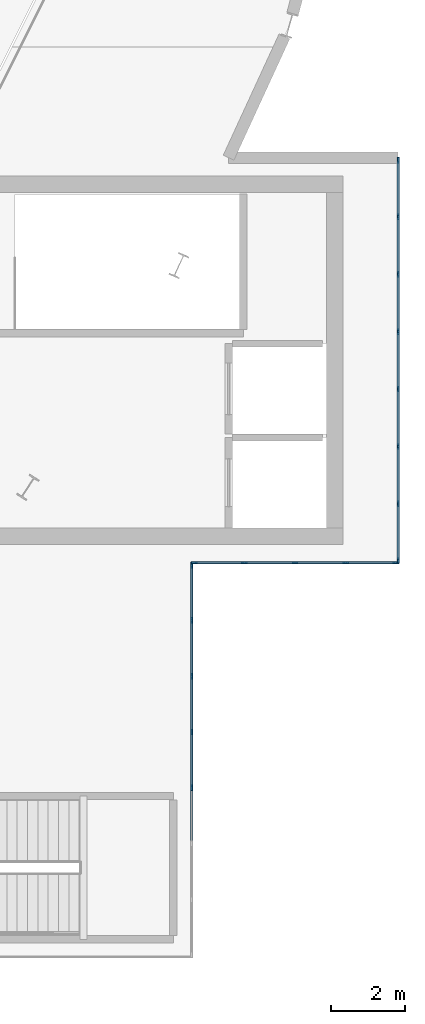
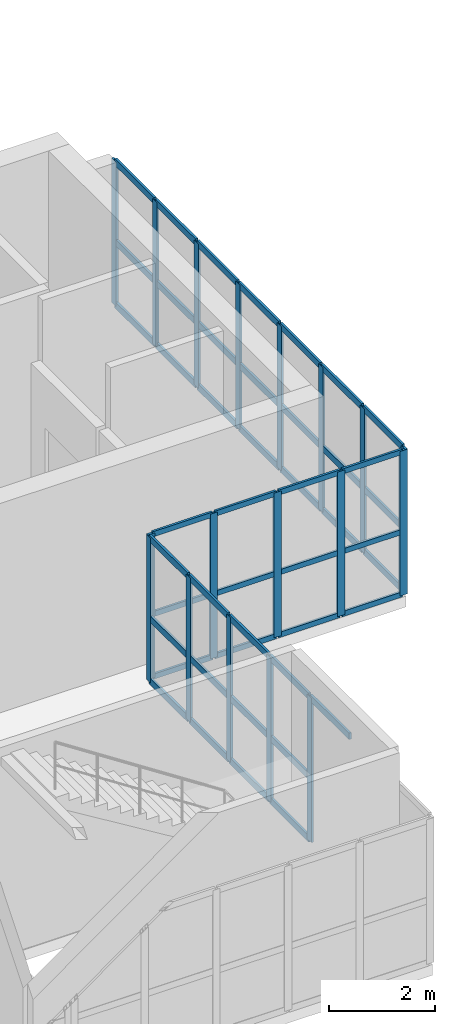
# One storey, part 16 of 40: 64 members, 3 elements without a shape of their own.
"""IFC4 building model written with IfcOpenShell, lengths in metres."""

import ifcopenshell
import ifcopenshell.guid

model = None  # the IFC model being written
_history = None  # IfcOwnerHistory: only IFC2X3 demands one
_inside = {}  # id of a spatial element -> (the spatial element, [elements in it])
_under = {}  # id of a project, library or spatial element -> (it, [spatial elements below it])
_declared = {}  # id of a project -> (the project, [libraries it declares])
_typed = {}  # id of a type object -> (the type object, [elements of that type])
_made_of = {}  # id of a material, layer set ... -> (it, [elements and type objects made of it])


def new_model(schema):
    """Start an empty IFC model of exactly this schema.

    Asked for "IFC4X3", IfcOpenShell would pick the latest addendum, in which some entities
    have other attributes; the version numbers below select the first issue.
    IFC2X3 requires an IfcOwnerHistory on every rooted entity: one is made here for all.
    """
    global model, _history
    if schema == "IFC4X3":
        model = ifcopenshell.file(schema_version=(4, 3, 0, 0))
    else:
        model = ifcopenshell.file(schema=schema)
    _inside.clear()
    _under.clear()
    _declared.clear()
    _typed.clear()
    _made_of.clear()
    _history = None
    if model.schema == "IFC2X3":
        org = make("IfcOrganization", Name="unknown")
        user = make(
            "IfcPersonAndOrganization",
            ThePerson=make("IfcPerson", FamilyName="unknown"),
            TheOrganization=org,
        )
        app = make(
            "IfcApplication",
            ApplicationDeveloper=org,
            Version="unknown",
            ApplicationFullName="unknown",
            ApplicationIdentifier="unknown",
        )
        _history = make(
            "IfcOwnerHistory",
            OwningUser=user,
            OwningApplication=app,
            ChangeAction="ADDED",
            CreationDate=0,
        )
    return model


def make(cls, **values):
    """One entity of the class cls with the attributes given. An attribute that is None is left unset."""
    return model.create_entity(
        cls, **{name: value for name, value in values.items() if value is not None}
    )


def rooted(cls, **values):
    """An entity with a GlobalId (a new one), such as an element, a storey or a relation."""
    return make(cls, GlobalId=ifcopenshell.guid.new(), OwnerHistory=_history, **values)


def si_unit(unit_type, name, prefix=None):
    """IfcSIUnit, for example si_unit("LENGTHUNIT", "METRE", prefix="MILLI")."""
    return make("IfcSIUnit", UnitType=unit_type, Prefix=prefix, Name=name)


def assignment(units):
    """IfcUnitAssignment: the units of a project."""
    return None if units is None else make("IfcUnitAssignment", Units=units)


def point(xyz):
    """IfcCartesianPoint."""
    return None if xyz is None else make("IfcCartesianPoint", Coordinates=xyz)


def direction(xyz):
    """IfcDirection."""
    return None if xyz is None else make("IfcDirection", DirectionRatios=xyz)


def frame(location, z_axis=None, x_axis=None):
    """IfcAxis2Placement3D, a coordinate frame: its origin and axes. An axis left out is left unset."""
    return make(
        "IfcAxis2Placement3D",
        Location=point(location),
        Axis=direction(z_axis),
        RefDirection=direction(x_axis),
    )


def frame_2d(location, x_axis=None):
    """IfcAxis2Placement2D, a coordinate frame in the plane: its origin and x axis."""
    return make(
        "IfcAxis2Placement2D", Location=point(location), RefDirection=direction(x_axis)
    )


def origin():
    """The frame at (0, 0, 0) with its axes left unset."""
    return frame((0.0, 0.0, 0.0))


def origin_2d():
    """The frame at (0, 0) in the plane with its x axis left unset."""
    return frame_2d((0.0, 0.0))


def place(relative_to, where):
    """IfcLocalPlacement: puts the frame where relative to a parent placement (None: the world)."""
    return make(
        "IfcLocalPlacement", PlacementRelTo=relative_to, RelativePlacement=where
    )


def context(
    kind, dimensions, precision=None, world=None, true_north=None, identifier=None
):
    """IfcGeometricRepresentationContext, for example the 3D "Model" context."""
    return make(
        "IfcGeometricRepresentationContext",
        ContextIdentifier=identifier,
        ContextType=kind,
        CoordinateSpaceDimension=dimensions,
        Precision=precision,
        WorldCoordinateSystem=world,
        TrueNorth=true_north,
    )


def subcontext(parent, identifier, kind, view, scale=None):
    """IfcGeometricRepresentationSubContext, for example "Body" below "Model"."""
    return make(
        "IfcGeometricRepresentationSubContext",
        ContextIdentifier=identifier,
        ContextType=kind,
        ParentContext=parent,
        TargetScale=scale,
        TargetView=view,
    )


def project(units=None, contexts=None):
    """IfcProject with its units and contexts."""
    return rooted(
        "IfcProject",
        Name="project",
        RepresentationContexts=contexts,
        UnitsInContext=assignment(units),
    )


def spatial(cls, under=None, at=None, **own):
    """A site, building, storey or space (cls), placed at a placement, below another one or the project."""
    s = rooted(cls, ObjectPlacement=at, **own)
    if under is not None:
        _under.setdefault(under.id(), (under, []))[1].append(s)
    return s


def profile(cls, at=None, kind="AREA", **sizes):
    """A parametric profile (cls). Its sizes go by their IFC names, for example OverallWidth=200.0."""
    return make(cls, ProfileType=kind, Position=at, **sizes)


def rectangle(**sizes):
    """IfcRectangleProfileDef."""
    return profile("IfcRectangleProfileDef", **sizes)


def extrude(swept, where, along, depth):
    """IfcExtrudedAreaSolid: the profile swept, set in the frame where, extruded along a direction by depth."""
    return make(
        "IfcExtrudedAreaSolid",
        SweptArea=swept,
        Position=where,
        ExtrudedDirection=direction(along),
        Depth=depth,
    )


def shape(context_of_items, identifier, shape_type, items):
    """IfcShapeRepresentation: the items that make up one representation, for example the "Body"."""
    return make(
        "IfcShapeRepresentation",
        ContextOfItems=context_of_items,
        RepresentationIdentifier=identifier,
        RepresentationType=shape_type,
        Items=items,
    )


def material(Name=None, Category=None):
    """IfcMaterial."""
    return make("IfcMaterial", Name=Name, Category=Category)


def material_profile(
    of_material, cross_section, Name=None, Category=None, Priority=None
):
    """IfcMaterialProfile: a cross section and its material."""
    return make(
        "IfcMaterialProfile",
        Name=Name,
        Material=of_material,
        Profile=cross_section,
        Priority=Priority,
        Category=Category,
    )


def profile_set(profiles, Name=None, composite=None):
    """IfcMaterialProfileSet."""
    return make(
        "IfcMaterialProfileSet",
        Name=Name,
        MaterialProfiles=profiles,
        CompositeProfile=composite,
    )


def made_of(thing, what):
    """Note that an element or type object is made of a material, layer set ...; save() writes the relation."""
    if what is not None:
        _made_of.setdefault(what.id(), (what, []))[1].append(thing)
    return thing


def type_object(cls, material=None, **own):
    """A type object (cls), such as IfcWallType, which elements share."""
    return made_of(rooted(cls, **own), material)


def element(
    cls,
    number,
    at=None,
    inside=None,
    cuts=None,
    type_object=None,
    material=None,
    context=None,
    identifier="Body",
    shape_type=None,
    held_by="IfcProductDefinitionShape",
    body=None,
    shapes=None,
    **own,
):
    """One element of the class cls, such as IfcWall. Its Tag is "e" and its number.

    at: its placement. inside: the storey or other place that contains it. cuts: it is an
    opening in that element (IfcRelVoidsElement). A single representation is given by context,
    identifier, shape_type and body (its items); several are given by shapes. held_by: the class
    of the entity that holds the representations. save() writes the other relations.
    """
    e = rooted(cls, Tag="e%d" % number, ObjectPlacement=at, **own)
    if body is not None:
        shapes = [shape(context, identifier, shape_type, body)]
    if shapes is not None:
        e.Representation = make(held_by, Representations=shapes)
    if inside is not None:
        _inside.setdefault(inside.id(), (inside, []))[1].append(e)
    if cuts is not None:
        rooted(
            "IfcRelVoidsElement", RelatingBuildingElement=cuts, RelatedOpeningElement=e
        )
    if type_object is not None:
        _typed.setdefault(type_object.id(), (type_object, []))[1].append(e)
    return made_of(e, material)


def aggregate(whole, parts):
    """IfcRelAggregates: a whole, such as a stair, and the parts it consists of."""
    return rooted("IfcRelAggregates", RelatingObject=whole, RelatedObjects=parts)


def save(model, path):
    """Write the relations noted so far, then the file.

    IfcRelAggregates (storeys below a building ...), IfcRelContainedInSpatialStructure (elements
    in a storey), IfcRelDefinesByType, IfcRelAssociatesMaterial and IfcRelDeclares: one each for
    every whole, place, type object, material and project.
    """
    for whole, parts in _under.values():
        aggregate(whole, parts)
    for where, things in _inside.values():
        rooted(
            "IfcRelContainedInSpatialStructure",
            RelatedElements=things,
            RelatingStructure=where,
        )
    for kind, things in _typed.values():
        rooted("IfcRelDefinesByType", RelatedObjects=things, RelatingType=kind)
    for what, things in _made_of.values():
        rooted("IfcRelAssociatesMaterial", RelatedObjects=things, RelatingMaterial=what)
    for by, libraries in _declared.values():
        rooted("IfcRelDeclares", RelatingContext=by, RelatedDefinitions=libraries)
    model.write(path)


model = new_model("IFC4")

# Units and contexts
model_context = context("Model", 3, precision=1e-05, world=origin(), true_north=direction((0.0, 1.0)))
body_context = subcontext(model_context, "Body", "Model", "MODEL_VIEW")
ifc_project = project(units=[si_unit("LENGTHUNIT", "METRE"), si_unit("AREAUNIT", "SQUARE_METRE"), si_unit("VOLUMEUNIT", "CUBIC_METRE"), si_unit("PLANEANGLEUNIT", "RADIAN"), si_unit("MASSUNIT", "GRAM", prefix="KILO")], contexts=[model_context])

# Site, building, storey
site_placement = place(None, origin())
site = spatial("IfcSite", under=ifc_project, at=site_placement, CompositionType="ELEMENT")
building_placement = place(site_placement, origin())
building = spatial("IfcBuilding", under=site, at=building_placement, Name="Glasvene Arena", CompositionType="ELEMENT")
storey_placement = place(building_placement, frame((0.0, 0.0, 24.0)))
storey = spatial("IfcBuildingStorey", under=building, at=storey_placement, Name="L05", CompositionType="ELEMENT", Elevation=24.0)

# Curtain wall, members
ifc_material_1 = material(Name="Low-emissivity laminated double glazing", Category="glass")
curtain_wall_type_1 = type_object("IfcCurtainWallType", Name="CW-FAC-L05-1092x332", PredefinedType="USERDEFINED", material=ifc_material_1)
curtain_wall_1_placement = place(storey_placement, frame((142.5, 55.4599609375, 0.0)))
curtain_wall_1 = element("IfcCurtainWall", 1, at=curtain_wall_1_placement, inside=storey, type_object=curtain_wall_type_1, Name="Unitised curtain wall CW-F-L05-150-1425-500-35", ObjectType="CURTAIN WALL", PredefinedType="USERDEFINED")
ifc_material_2 = material(Name="Anodised architectural aluminium", Category="aluminium")
ifc_material_profile_1 = material_profile(ifc_material_2, rectangle(XDim=0.050048828125, YDim=0.159912109375, at=origin_2d()), Name="ALU MULLION 50x160")
ifc_profile_set_1 = profile_set([ifc_material_profile_1], Name="Anodised architectural aluminium")
member_type_1 = type_object("IfcMemberType", Name="CW-MUL-150", PredefinedType="MULLION", material=ifc_profile_set_1)
member_1_placement = place(storey_placement, frame((142.5, 55.43505859375, 0.06005859375), z_axis=(0.0, 0.0, 1.0), x_axis=(1.0, 0.0, 0.0)))
member_1 = element("IfcMember", 2, at=member_1_placement, type_object=member_type_1, Name="CW-055 mullion 1", PredefinedType="MULLION", context=body_context, shape_type="SweptSolid", body=[
    extrude(rectangle(XDim=0.050048828125, YDim=0.159912109375, at=origin_2d()), origin(), (0.0, 0.0, 1.0), 3.31982421875),
])
member_2_placement = place(storey_placement, frame((142.5, 53.89990234375, 0.06005859375), z_axis=(0.0, 0.0, 1.0), x_axis=(1.0, 0.0, 0.0)))
member_2 = element("IfcMember", 3, at=member_2_placement, type_object=member_type_1, Name="CW-055 mullion 2", PredefinedType="MULLION", context=body_context, shape_type="SweptSolid", body=[
    extrude(rectangle(XDim=0.050048828125, YDim=0.159912109375, at=origin_2d()), origin(), (0.0, 0.0, 1.0), 3.31982421875),
])
member_3_placement = place(storey_placement, frame((142.5, 52.340087890625, 0.06005859375), z_axis=(0.0, 0.0, 1.0), x_axis=(1.0, 0.0, 0.0)))
member_3 = element("IfcMember", 4, at=member_3_placement, type_object=member_type_1, Name="CW-055 mullion 3", PredefinedType="MULLION", context=body_context, shape_type="SweptSolid", body=[
    extrude(rectangle(XDim=0.050048828125, YDim=0.159912109375, at=origin_2d()), origin(), (0.0, 0.0, 1.0), 3.31982421875),
])
member_4_placement = place(storey_placement, frame((142.5, 50.780029296875, 0.06005859375), z_axis=(0.0, 0.0, 1.0), x_axis=(1.0, 0.0, 0.0)))
member_4 = element("IfcMember", 5, at=member_4_placement, type_object=member_type_1, Name="CW-055 mullion 4", PredefinedType="MULLION", context=body_context, shape_type="SweptSolid", body=[
    extrude(rectangle(XDim=0.050048828125, YDim=0.159912109375, at=origin_2d()), origin(), (0.0, 0.0, 1.0), 3.31982421875),
])
member_5_placement = place(storey_placement, frame((142.5, 49.219970703125, 0.06005859375), z_axis=(0.0, 0.0, 1.0), x_axis=(1.0, 0.0, 0.0)))
member_5 = element("IfcMember", 6, at=member_5_placement, type_object=member_type_1, Name="CW-055 mullion 5", PredefinedType="MULLION", context=body_context, shape_type="SweptSolid", body=[
    extrude(rectangle(XDim=0.050048828125, YDim=0.159912109375, at=origin_2d()), origin(), (0.0, 0.0, 1.0), 3.31982421875),
])
member_6_placement = place(storey_placement, frame((142.5, 47.659912109375, 0.06005859375), z_axis=(0.0, 0.0, 1.0), x_axis=(1.0, 0.0, 0.0)))
member_6 = element("IfcMember", 7, at=member_6_placement, type_object=member_type_1, Name="CW-055 mullion 6", PredefinedType="MULLION", context=body_context, shape_type="SweptSolid", body=[
    extrude(rectangle(XDim=0.050048828125, YDim=0.159912109375, at=origin_2d()), origin(), (0.0, 0.0, 1.0), 3.31982421875),
])
member_7_placement = place(storey_placement, frame((142.5, 46.10009765625, 0.06005859375), z_axis=(0.0, 0.0, 1.0), x_axis=(1.0, 0.0, 0.0)))
member_7 = element("IfcMember", 8, at=member_7_placement, type_object=member_type_1, Name="CW-055 mullion 7", PredefinedType="MULLION", context=body_context, shape_type="SweptSolid", body=[
    extrude(rectangle(XDim=0.050048828125, YDim=0.159912109375, at=origin_2d()), origin(), (0.0, 0.0, 1.0), 3.31982421875),
])
member_8_placement = place(storey_placement, frame((142.5, 44.56494140625, 0.06005859375), z_axis=(0.0, 0.0, 1.0), x_axis=(1.0, 0.0, 0.0)))
member_8 = element("IfcMember", 9, at=member_8_placement, type_object=member_type_1, Name="CW-055 mullion 8", PredefinedType="MULLION", context=body_context, shape_type="SweptSolid", body=[
    extrude(rectangle(XDim=0.050048828125, YDim=0.159912109375, at=origin_2d()), origin(), (0.0, 0.0, 1.0), 3.31982421875),
])

curtain_wall_type_2 = type_object("IfcCurtainWallType", Name="CW-FAC-L05-552x332", PredefinedType="USERDEFINED", material=ifc_material_1)
curtain_wall_2_placement = place(storey_placement, frame((142.4599609375, 44.5, 0.0)))
curtain_wall_2 = element("IfcCurtainWall", 10, at=curtain_wall_2_placement, inside=storey, type_object=curtain_wall_type_2, Name="Unitised curtain wall CW-F-L05-150-1397-445-36", ObjectType="CURTAIN WALL", PredefinedType="USERDEFINED")
member_9_placement = place(storey_placement, frame((142.43505859375, 44.5, 0.06005859375), z_axis=(0.0, 0.0, 1.0), x_axis=(0.0, -1.0, 0.0)))
member_9 = element("IfcMember", 11, at=member_9_placement, type_object=member_type_1, Name="CW-067 mullion 1", PredefinedType="MULLION", context=body_context, shape_type="SweptSolid", body=[
    extrude(rectangle(XDim=0.050048828125, YDim=0.159912109375, at=origin_2d()), origin(), (0.0, 0.0, 1.0), 3.31982421875),
])
member_10_placement = place(storey_placement, frame((141.080078125, 44.5, 0.06005859375), z_axis=(0.0, 0.0, 1.0), x_axis=(0.0, -1.0, 0.0)))
member_10 = element("IfcMember", 12, at=member_10_placement, type_object=member_type_1, Name="CW-067 mullion 2", PredefinedType="MULLION", context=body_context, shape_type="SweptSolid", body=[
    extrude(rectangle(XDim=0.050048828125, YDim=0.159912109375, at=origin_2d()), origin(), (0.0, 0.0, 1.0), 3.31982421875),
])
member_11_placement = place(storey_placement, frame((139.699951171875, 44.5, 0.06005859375), z_axis=(0.0, 0.0, 1.0), x_axis=(0.0, -1.0, 0.0)))
member_11 = element("IfcMember", 13, at=member_11_placement, type_object=member_type_1, Name="CW-067 mullion 3", PredefinedType="MULLION", context=body_context, shape_type="SweptSolid", body=[
    extrude(rectangle(XDim=0.050048828125, YDim=0.159912109375, at=origin_2d()), origin(), (0.0, 0.0, 1.0), 3.31982421875),
])
member_12_placement = place(storey_placement, frame((138.320068359375, 44.5, 0.06005859375), z_axis=(0.0, 0.0, 1.0), x_axis=(0.0, -1.0, 0.0)))
member_12 = element("IfcMember", 14, at=member_12_placement, type_object=member_type_1, Name="CW-067 mullion 4", PredefinedType="MULLION", context=body_context, shape_type="SweptSolid", body=[
    extrude(rectangle(XDim=0.050048828125, YDim=0.159912109375, at=origin_2d()), origin(), (0.0, 0.0, 1.0), 3.31982421875),
])
member_13_placement = place(storey_placement, frame((136.965087890625, 44.5, 0.06005859375), z_axis=(0.0, 0.0, 1.0), x_axis=(0.0, -1.0, 0.0)))
member_13 = element("IfcMember", 15, at=member_13_placement, type_object=member_type_1, Name="CW-067 mullion 5", PredefinedType="MULLION", context=body_context, shape_type="SweptSolid", body=[
    extrude(rectangle(XDim=0.050048828125, YDim=0.159912109375, at=origin_2d()), origin(), (0.0, 0.0, 1.0), 3.31982421875),
])

curtain_wall_type_3 = type_object("IfcCurtainWallType", Name="CW-FAC-L05-1062x332", PredefinedType="USERDEFINED", material=ifc_material_1)
curtain_wall_3_placement = place(storey_placement, frame((136.89990234375, 44.4599609375, 0.0)))
curtain_wall_3 = element("IfcCurtainWall", 16, at=curtain_wall_3_placement, inside=storey, type_object=curtain_wall_type_3, Name="Unitised curtain wall CW-F-L05-150-1369-392-37", ObjectType="CURTAIN WALL", PredefinedType="USERDEFINED")
member_14_placement = place(storey_placement, frame((136.89990234375, 44.43505859375, 0.06005859375), z_axis=(0.0, 0.0, 1.0), x_axis=(1.0, 0.0, 0.0)))
member_14 = element("IfcMember", 17, at=member_14_placement, type_object=member_type_1, Name="CW-054 mullion 1", PredefinedType="MULLION", context=body_context, shape_type="SweptSolid", body=[
    extrude(rectangle(XDim=0.050048828125, YDim=0.159912109375, at=origin_2d()), origin(), (0.0, 0.0, 1.0), 3.31982421875),
])
member_15_placement = place(storey_placement, frame((136.89990234375, 42.94287109375, 0.06005859375), z_axis=(0.0, 0.0, 1.0), x_axis=(1.0, 0.0, 0.0)))
member_15 = element("IfcMember", 18, at=member_15_placement, type_object=member_type_1, Name="CW-054 mullion 2", PredefinedType="MULLION", context=body_context, shape_type="SweptSolid", body=[
    extrude(rectangle(XDim=0.050048828125, YDim=0.159912109375, at=origin_2d()), origin(), (0.0, 0.0, 1.0), 3.31982421875),
])
member_16_placement = place(storey_placement, frame((136.89990234375, 41.42578125, 0.06005859375), z_axis=(0.0, 0.0, 1.0), x_axis=(1.0, 0.0, 0.0)))
member_16 = element("IfcMember", 19, at=member_16_placement, type_object=member_type_1, Name="CW-054 mullion 3", PredefinedType="MULLION", context=body_context, shape_type="SweptSolid", body=[
    extrude(rectangle(XDim=0.050048828125, YDim=0.159912109375, at=origin_2d()), origin(), (0.0, 0.0, 1.0), 3.31982421875),
])
member_17_placement = place(storey_placement, frame((136.89990234375, 39.90869140625, 0.06005859375), z_axis=(0.0, 0.0, 1.0), x_axis=(1.0, 0.0, 0.0)))
member_17 = element("IfcMember", 20, at=member_17_placement, type_object=member_type_1, Name="CW-054 mullion 4", PredefinedType="MULLION", context=body_context, shape_type="SweptSolid", body=[
    extrude(rectangle(XDim=0.050048828125, YDim=0.159912109375, at=origin_2d()), origin(), (0.0, 0.0, 1.0), 3.31982421875),
])
member_18_placement = place(storey_placement, frame((136.89990234375, 38.391357421875, 0.06005859375), z_axis=(0.0, 0.0, 1.0), x_axis=(1.0, 0.0, 0.0)))
member_18 = element("IfcMember", 21, at=member_18_placement, type_object=member_type_1, Name="CW-054 mullion 5", PredefinedType="MULLION", context=body_context, shape_type="SweptSolid", body=[
    extrude(rectangle(XDim=0.050048828125, YDim=0.159912109375, at=origin_2d()), origin(), (0.0, 0.0, 1.0), 3.31982421875),
])

# Member
ifc_material_profile_2 = material_profile(ifc_material_2, rectangle(XDim=0.050048828125, YDim=0.1201171875, at=origin_2d()), Name="ALU TRANSOM 50x120")
ifc_profile_set_2 = profile_set([ifc_material_profile_2], Name="Anodised architectural aluminium")
member_type_2 = type_object("IfcMemberType", Name="CW-TRN-120", PredefinedType="USERDEFINED", material=ifc_profile_set_2)
member_19_placement = place(storey_placement, frame((142.409912109375, 44.5, 0.0849609375), z_axis=(-1.0, 0.0, 0.0), x_axis=(0.0, -1.0, 0.0)))
member_19 = element("IfcMember", 22, at=member_19_placement, type_object=member_type_2, Name="CW-067 transom 1.1", ObjectType="TRANSOM", PredefinedType="USERDEFINED", context=body_context, shape_type="SweptSolid", body=[
    extrude(rectangle(XDim=0.050048828125, YDim=0.1201171875, at=origin_2d()), origin(), (0.0, 0.0, 1.0), 1.304931640625),
])

member_20_placement = place(storey_placement, frame((142.409912109375, 44.5, 1.52099609375), z_axis=(-1.0, 0.0, 0.0), x_axis=(0.0, -1.0, 0.0)))
member_20 = element("IfcMember", 23, at=member_20_placement, type_object=member_type_2, Name="CW-067 transom 1.2", ObjectType="TRANSOM", PredefinedType="USERDEFINED", context=body_context, shape_type="SweptSolid", body=[
    extrude(rectangle(XDim=0.050048828125, YDim=0.1201171875, at=origin_2d()), origin(), (0.0, 0.0, 1.0), 1.304931640625),
])

member_21_placement = place(storey_placement, frame((142.409912109375, 44.5, 3.35498046875), z_axis=(-1.0, 0.0, 0.0), x_axis=(0.0, -1.0, 0.0)))
member_21 = element("IfcMember", 24, at=member_21_placement, type_object=member_type_2, Name="CW-067 transom 1.3", ObjectType="TRANSOM", PredefinedType="USERDEFINED", context=body_context, shape_type="SweptSolid", body=[
    extrude(rectangle(XDim=0.050048828125, YDim=0.1201171875, at=origin_2d()), origin(), (0.0, 0.0, 1.0), 1.304931640625),
])

member_22_placement = place(storey_placement, frame((141.054931640625, 44.5, 0.0849609375), z_axis=(-1.0, 0.0, 0.0), x_axis=(0.0, -1.0, 0.0)))
member_22 = element("IfcMember", 25, at=member_22_placement, type_object=member_type_2, Name="CW-067 transom 2.1", ObjectType="TRANSOM", PredefinedType="USERDEFINED", context=body_context, shape_type="SweptSolid", body=[
    extrude(rectangle(XDim=0.050048828125, YDim=0.1201171875, at=origin_2d()), origin(), (0.0, 0.0, 1.0), 1.329833984375),
])

member_23_placement = place(storey_placement, frame((141.054931640625, 44.5, 1.52099609375), z_axis=(-1.0, 0.0, 0.0), x_axis=(0.0, -1.0, 0.0)))
member_23 = element("IfcMember", 26, at=member_23_placement, type_object=member_type_2, Name="CW-067 transom 2.2", ObjectType="TRANSOM", PredefinedType="USERDEFINED", context=body_context, shape_type="SweptSolid", body=[
    extrude(rectangle(XDim=0.050048828125, YDim=0.1201171875, at=origin_2d()), origin(), (0.0, 0.0, 1.0), 1.329833984375),
])

member_24_placement = place(storey_placement, frame((141.054931640625, 44.5, 3.35498046875), z_axis=(-1.0, 0.0, 0.0), x_axis=(0.0, -1.0, 0.0)))
member_24 = element("IfcMember", 27, at=member_24_placement, type_object=member_type_2, Name="CW-067 transom 2.3", ObjectType="TRANSOM", PredefinedType="USERDEFINED", context=body_context, shape_type="SweptSolid", body=[
    extrude(rectangle(XDim=0.050048828125, YDim=0.1201171875, at=origin_2d()), origin(), (0.0, 0.0, 1.0), 1.329833984375),
])

member_25_placement = place(storey_placement, frame((139.675048828125, 44.5, 0.0849609375), z_axis=(-1.0, 0.0, 0.0), x_axis=(0.0, -1.0, 0.0)))
member_25 = element("IfcMember", 28, at=member_25_placement, type_object=member_type_2, Name="CW-067 transom 3.1", ObjectType="TRANSOM", PredefinedType="USERDEFINED", context=body_context, shape_type="SweptSolid", body=[
    extrude(rectangle(XDim=0.050048828125, YDim=0.1201171875, at=origin_2d()), origin(), (0.0, 0.0, 1.0), 1.330078125),
])

member_26_placement = place(storey_placement, frame((139.675048828125, 44.5, 1.52099609375), z_axis=(-1.0, 0.0, 0.0), x_axis=(0.0, -1.0, 0.0)))
member_26 = element("IfcMember", 29, at=member_26_placement, type_object=member_type_2, Name="CW-067 transom 3.2", ObjectType="TRANSOM", PredefinedType="USERDEFINED", context=body_context, shape_type="SweptSolid", body=[
    extrude(rectangle(XDim=0.050048828125, YDim=0.1201171875, at=origin_2d()), origin(), (0.0, 0.0, 1.0), 1.330078125),
])

member_27_placement = place(storey_placement, frame((139.675048828125, 44.5, 3.35498046875), z_axis=(-1.0, 0.0, 0.0), x_axis=(0.0, -1.0, 0.0)))
member_27 = element("IfcMember", 30, at=member_27_placement, type_object=member_type_2, Name="CW-067 transom 3.3", ObjectType="TRANSOM", PredefinedType="USERDEFINED", context=body_context, shape_type="SweptSolid", body=[
    extrude(rectangle(XDim=0.050048828125, YDim=0.1201171875, at=origin_2d()), origin(), (0.0, 0.0, 1.0), 1.330078125),
])

member_28_placement = place(storey_placement, frame((138.294921875, 44.5, 0.0849609375), z_axis=(-1.0, 0.0, 0.0), x_axis=(0.0, -1.0, 0.0)))
member_28 = element("IfcMember", 31, at=member_28_placement, type_object=member_type_2, Name="CW-067 transom 4.1", ObjectType="TRANSOM", PredefinedType="USERDEFINED", context=body_context, shape_type="SweptSolid", body=[
    extrude(rectangle(XDim=0.050048828125, YDim=0.1201171875, at=origin_2d()), origin(), (0.0, 0.0, 1.0), 1.304931640625),
])

member_29_placement = place(storey_placement, frame((138.294921875, 44.5, 1.52099609375), z_axis=(-1.0, 0.0, 0.0), x_axis=(0.0, -1.0, 0.0)))
member_29 = element("IfcMember", 32, at=member_29_placement, type_object=member_type_2, Name="CW-067 transom 4.2", ObjectType="TRANSOM", PredefinedType="USERDEFINED", context=body_context, shape_type="SweptSolid", body=[
    extrude(rectangle(XDim=0.050048828125, YDim=0.1201171875, at=origin_2d()), origin(), (0.0, 0.0, 1.0), 1.304931640625),
])

member_30_placement = place(storey_placement, frame((138.294921875, 44.5, 3.35498046875), z_axis=(-1.0, 0.0, 0.0), x_axis=(0.0, -1.0, 0.0)))
member_30 = element("IfcMember", 33, at=member_30_placement, type_object=member_type_2, Name="CW-067 transom 4.3", ObjectType="TRANSOM", PredefinedType="USERDEFINED", context=body_context, shape_type="SweptSolid", body=[
    extrude(rectangle(XDim=0.050048828125, YDim=0.1201171875, at=origin_2d()), origin(), (0.0, 0.0, 1.0), 1.304931640625),
])

aggregate(curtain_wall_2, [member_9, member_10, member_11, member_12, member_13, member_19, member_20, member_21, member_22, member_23, member_24, member_25, member_26, member_27, member_28, member_29, member_30])

ifc_material_profile_3 = material_profile(ifc_material_2, rectangle(XDim=0.050048828125, YDim=0.14990234375, at=origin_2d()), Name="ALU TRANSOM 50x150")
ifc_profile_set_3 = profile_set([ifc_material_profile_3], Name="Anodised architectural aluminium")
member_type_3 = type_object("IfcMemberType", Name="CW-TRN-150", PredefinedType="USERDEFINED", material=ifc_profile_set_3)
member_31_placement = place(storey_placement, frame((142.5, 55.409912109375, 0.0849609375), z_axis=(0.0, -1.0, 0.0), x_axis=(1.0, 0.0, 0.0)))
member_31 = element("IfcMember", 34, at=member_31_placement, type_object=member_type_3, Name="CW-055 transom 1.1", ObjectType="TRANSOM", PredefinedType="USERDEFINED", context=body_context, shape_type="SweptSolid", body=[
    extrude(rectangle(XDim=0.050048828125, YDim=0.14990234375, at=origin_2d()), origin(), (0.0, 0.0, 1.0), 1.48486328125),
])

member_32_placement = place(storey_placement, frame((142.5, 55.409912109375, 1.52099609375), z_axis=(0.0, -1.0, 0.0), x_axis=(1.0, 0.0, 0.0)))
member_32 = element("IfcMember", 35, at=member_32_placement, type_object=member_type_3, Name="CW-055 transom 1.2", ObjectType="TRANSOM", PredefinedType="USERDEFINED", context=body_context, shape_type="SweptSolid", body=[
    extrude(rectangle(XDim=0.050048828125, YDim=0.14990234375, at=origin_2d()), origin(), (0.0, 0.0, 1.0), 1.48486328125),
])

member_33_placement = place(storey_placement, frame((142.5, 55.409912109375, 3.35498046875), z_axis=(0.0, -1.0, 0.0), x_axis=(1.0, 0.0, 0.0)))
member_33 = element("IfcMember", 36, at=member_33_placement, type_object=member_type_3, Name="CW-055 transom 1.3", ObjectType="TRANSOM", PredefinedType="USERDEFINED", context=body_context, shape_type="SweptSolid", body=[
    extrude(rectangle(XDim=0.050048828125, YDim=0.14990234375, at=origin_2d()), origin(), (0.0, 0.0, 1.0), 1.48486328125),
])

member_34_placement = place(storey_placement, frame((142.5, 53.875, 0.0849609375), z_axis=(0.0, -1.0, 0.0), x_axis=(1.0, 0.0, 0.0)))
member_34 = element("IfcMember", 37, at=member_34_placement, type_object=member_type_3, Name="CW-055 transom 2.1", ObjectType="TRANSOM", PredefinedType="USERDEFINED", context=body_context, shape_type="SweptSolid", body=[
    extrude(rectangle(XDim=0.050048828125, YDim=0.14990234375, at=origin_2d()), origin(), (0.0, 0.0, 1.0), 1.510009765625),
])

member_35_placement = place(storey_placement, frame((142.5, 53.875, 1.52099609375), z_axis=(0.0, -1.0, 0.0), x_axis=(1.0, 0.0, 0.0)))
member_35 = element("IfcMember", 38, at=member_35_placement, type_object=member_type_3, Name="CW-055 transom 2.2", ObjectType="TRANSOM", PredefinedType="USERDEFINED", context=body_context, shape_type="SweptSolid", body=[
    extrude(rectangle(XDim=0.050048828125, YDim=0.14990234375, at=origin_2d()), origin(), (0.0, 0.0, 1.0), 1.510009765625),
])

member_36_placement = place(storey_placement, frame((142.5, 53.875, 3.35498046875), z_axis=(0.0, -1.0, 0.0), x_axis=(1.0, 0.0, 0.0)))
member_36 = element("IfcMember", 39, at=member_36_placement, type_object=member_type_3, Name="CW-055 transom 2.3", ObjectType="TRANSOM", PredefinedType="USERDEFINED", context=body_context, shape_type="SweptSolid", body=[
    extrude(rectangle(XDim=0.050048828125, YDim=0.14990234375, at=origin_2d()), origin(), (0.0, 0.0, 1.0), 1.510009765625),
])

member_37_placement = place(storey_placement, frame((142.5, 52.31494140625, 0.0849609375), z_axis=(0.0, -1.0, 0.0), x_axis=(1.0, 0.0, 0.0)))
member_37 = element("IfcMember", 40, at=member_37_placement, type_object=member_type_3, Name="CW-055 transom 3.1", ObjectType="TRANSOM", PredefinedType="USERDEFINED", context=body_context, shape_type="SweptSolid", body=[
    extrude(rectangle(XDim=0.050048828125, YDim=0.14990234375, at=origin_2d()), origin(), (0.0, 0.0, 1.0), 1.510009765625),
])

member_38_placement = place(storey_placement, frame((142.5, 52.31494140625, 1.52099609375), z_axis=(0.0, -1.0, 0.0), x_axis=(1.0, 0.0, 0.0)))
member_38 = element("IfcMember", 41, at=member_38_placement, type_object=member_type_3, Name="CW-055 transom 3.2", ObjectType="TRANSOM", PredefinedType="USERDEFINED", context=body_context, shape_type="SweptSolid", body=[
    extrude(rectangle(XDim=0.050048828125, YDim=0.14990234375, at=origin_2d()), origin(), (0.0, 0.0, 1.0), 1.510009765625),
])

member_39_placement = place(storey_placement, frame((142.5, 52.31494140625, 3.35498046875), z_axis=(0.0, -1.0, 0.0), x_axis=(1.0, 0.0, 0.0)))
member_39 = element("IfcMember", 42, at=member_39_placement, type_object=member_type_3, Name="CW-055 transom 3.3", ObjectType="TRANSOM", PredefinedType="USERDEFINED", context=body_context, shape_type="SweptSolid", body=[
    extrude(rectangle(XDim=0.050048828125, YDim=0.14990234375, at=origin_2d()), origin(), (0.0, 0.0, 1.0), 1.510009765625),
])

member_40_placement = place(storey_placement, frame((142.5, 50.7548828125, 0.0849609375), z_axis=(0.0, -1.0, 0.0), x_axis=(1.0, 0.0, 0.0)))
member_40 = element("IfcMember", 43, at=member_40_placement, type_object=member_type_3, Name="CW-055 transom 4.1", ObjectType="TRANSOM", PredefinedType="USERDEFINED", context=body_context, shape_type="SweptSolid", body=[
    extrude(rectangle(XDim=0.050048828125, YDim=0.14990234375, at=origin_2d()), origin(), (0.0, 0.0, 1.0), 1.509765625),
])

member_41_placement = place(storey_placement, frame((142.5, 50.7548828125, 1.52099609375), z_axis=(0.0, -1.0, 0.0), x_axis=(1.0, 0.0, 0.0)))
member_41 = element("IfcMember", 44, at=member_41_placement, type_object=member_type_3, Name="CW-055 transom 4.2", ObjectType="TRANSOM", PredefinedType="USERDEFINED", context=body_context, shape_type="SweptSolid", body=[
    extrude(rectangle(XDim=0.050048828125, YDim=0.14990234375, at=origin_2d()), origin(), (0.0, 0.0, 1.0), 1.509765625),
])

member_42_placement = place(storey_placement, frame((142.5, 50.7548828125, 3.35498046875), z_axis=(0.0, -1.0, 0.0), x_axis=(1.0, 0.0, 0.0)))
member_42 = element("IfcMember", 45, at=member_42_placement, type_object=member_type_3, Name="CW-055 transom 4.3", ObjectType="TRANSOM", PredefinedType="USERDEFINED", context=body_context, shape_type="SweptSolid", body=[
    extrude(rectangle(XDim=0.050048828125, YDim=0.14990234375, at=origin_2d()), origin(), (0.0, 0.0, 1.0), 1.509765625),
])

member_43_placement = place(storey_placement, frame((142.5, 49.195068359375, 0.0849609375), z_axis=(0.0, -1.0, 0.0), x_axis=(1.0, 0.0, 0.0)))
member_43 = element("IfcMember", 46, at=member_43_placement, type_object=member_type_3, Name="CW-055 transom 5.1", ObjectType="TRANSOM", PredefinedType="USERDEFINED", context=body_context, shape_type="SweptSolid", body=[
    extrude(rectangle(XDim=0.050048828125, YDim=0.14990234375, at=origin_2d()), origin(), (0.0, 0.0, 1.0), 1.510009765625),
])

member_44_placement = place(storey_placement, frame((142.5, 49.195068359375, 1.52099609375), z_axis=(0.0, -1.0, 0.0), x_axis=(1.0, 0.0, 0.0)))
member_44 = element("IfcMember", 47, at=member_44_placement, type_object=member_type_3, Name="CW-055 transom 5.2", ObjectType="TRANSOM", PredefinedType="USERDEFINED", context=body_context, shape_type="SweptSolid", body=[
    extrude(rectangle(XDim=0.050048828125, YDim=0.14990234375, at=origin_2d()), origin(), (0.0, 0.0, 1.0), 1.510009765625),
])

member_45_placement = place(storey_placement, frame((142.5, 49.195068359375, 3.35498046875), z_axis=(0.0, -1.0, 0.0), x_axis=(1.0, 0.0, 0.0)))
member_45 = element("IfcMember", 48, at=member_45_placement, type_object=member_type_3, Name="CW-055 transom 5.3", ObjectType="TRANSOM", PredefinedType="USERDEFINED", context=body_context, shape_type="SweptSolid", body=[
    extrude(rectangle(XDim=0.050048828125, YDim=0.14990234375, at=origin_2d()), origin(), (0.0, 0.0, 1.0), 1.510009765625),
])

member_46_placement = place(storey_placement, frame((142.5, 47.635009765625, 0.0849609375), z_axis=(0.0, -1.0, 0.0), x_axis=(1.0, 0.0, 0.0)))
member_46 = element("IfcMember", 49, at=member_46_placement, type_object=member_type_3, Name="CW-055 transom 6.1", ObjectType="TRANSOM", PredefinedType="USERDEFINED", context=body_context, shape_type="SweptSolid", body=[
    extrude(rectangle(XDim=0.050048828125, YDim=0.14990234375, at=origin_2d()), origin(), (0.0, 0.0, 1.0), 1.510009765625),
])

member_47_placement = place(storey_placement, frame((142.5, 47.635009765625, 1.52099609375), z_axis=(0.0, -1.0, 0.0), x_axis=(1.0, 0.0, 0.0)))
member_47 = element("IfcMember", 50, at=member_47_placement, type_object=member_type_3, Name="CW-055 transom 6.2", ObjectType="TRANSOM", PredefinedType="USERDEFINED", context=body_context, shape_type="SweptSolid", body=[
    extrude(rectangle(XDim=0.050048828125, YDim=0.14990234375, at=origin_2d()), origin(), (0.0, 0.0, 1.0), 1.510009765625),
])

member_48_placement = place(storey_placement, frame((142.5, 47.635009765625, 3.35498046875), z_axis=(0.0, -1.0, 0.0), x_axis=(1.0, 0.0, 0.0)))
member_48 = element("IfcMember", 51, at=member_48_placement, type_object=member_type_3, Name="CW-055 transom 6.3", ObjectType="TRANSOM", PredefinedType="USERDEFINED", context=body_context, shape_type="SweptSolid", body=[
    extrude(rectangle(XDim=0.050048828125, YDim=0.14990234375, at=origin_2d()), origin(), (0.0, 0.0, 1.0), 1.510009765625),
])

member_49_placement = place(storey_placement, frame((142.5, 46.074951171875, 0.0849609375), z_axis=(0.0, -1.0, 0.0), x_axis=(1.0, 0.0, 0.0)))
member_49 = element("IfcMember", 52, at=member_49_placement, type_object=member_type_3, Name="CW-055 transom 7.1", ObjectType="TRANSOM", PredefinedType="USERDEFINED", context=body_context, shape_type="SweptSolid", body=[
    extrude(rectangle(XDim=0.050048828125, YDim=0.14990234375, at=origin_2d()), origin(), (0.0, 0.0, 1.0), 1.48486328125),
])

member_50_placement = place(storey_placement, frame((142.5, 46.074951171875, 1.52099609375), z_axis=(0.0, -1.0, 0.0), x_axis=(1.0, 0.0, 0.0)))
member_50 = element("IfcMember", 53, at=member_50_placement, type_object=member_type_3, Name="CW-055 transom 7.2", ObjectType="TRANSOM", PredefinedType="USERDEFINED", context=body_context, shape_type="SweptSolid", body=[
    extrude(rectangle(XDim=0.050048828125, YDim=0.14990234375, at=origin_2d()), origin(), (0.0, 0.0, 1.0), 1.48486328125),
])

member_51_placement = place(storey_placement, frame((142.5, 46.074951171875, 3.35498046875), z_axis=(0.0, -1.0, 0.0), x_axis=(1.0, 0.0, 0.0)))
member_51 = element("IfcMember", 54, at=member_51_placement, type_object=member_type_3, Name="CW-055 transom 7.3", ObjectType="TRANSOM", PredefinedType="USERDEFINED", context=body_context, shape_type="SweptSolid", body=[
    extrude(rectangle(XDim=0.050048828125, YDim=0.14990234375, at=origin_2d()), origin(), (0.0, 0.0, 1.0), 1.48486328125),
])

aggregate(curtain_wall_1, [member_1, member_2, member_3, member_4, member_5, member_6, member_7, member_8, member_31, member_32, member_33, member_34, member_35, member_36, member_37, member_38, member_39, member_40, member_41, member_42, member_43, member_44, member_45, member_46, member_47, member_48, member_49, member_50, member_51])

member_52_placement = place(storey_placement, frame((136.89990234375, 44.409912109375, 0.0849609375), z_axis=(0.0, -1.0, 0.0), x_axis=(1.0, 0.0, 0.0)))
member_52 = element("IfcMember", 55, at=member_52_placement, type_object=member_type_3, Name="CW-054 transom 1.1", ObjectType="TRANSOM", PredefinedType="USERDEFINED", context=body_context, shape_type="SweptSolid", body=[
    extrude(rectangle(XDim=0.050048828125, YDim=0.14990234375, at=origin_2d()), origin(), (0.0, 0.0, 1.0), 1.442138671875),
])

member_53_placement = place(storey_placement, frame((136.89990234375, 44.409912109375, 1.52099609375), z_axis=(0.0, -1.0, 0.0), x_axis=(1.0, 0.0, 0.0)))
member_53 = element("IfcMember", 56, at=member_53_placement, type_object=member_type_3, Name="CW-054 transom 1.2", ObjectType="TRANSOM", PredefinedType="USERDEFINED", context=body_context, shape_type="SweptSolid", body=[
    extrude(rectangle(XDim=0.050048828125, YDim=0.14990234375, at=origin_2d()), origin(), (0.0, 0.0, 1.0), 1.442138671875),
])

member_54_placement = place(storey_placement, frame((136.89990234375, 44.409912109375, 3.35498046875), z_axis=(0.0, -1.0, 0.0), x_axis=(1.0, 0.0, 0.0)))
member_54 = element("IfcMember", 57, at=member_54_placement, type_object=member_type_3, Name="CW-054 transom 1.3", ObjectType="TRANSOM", PredefinedType="USERDEFINED", context=body_context, shape_type="SweptSolid", body=[
    extrude(rectangle(XDim=0.050048828125, YDim=0.14990234375, at=origin_2d()), origin(), (0.0, 0.0, 1.0), 1.442138671875),
])

member_55_placement = place(storey_placement, frame((136.89990234375, 42.91796875, 0.0849609375), z_axis=(0.0, -1.0, 0.0), x_axis=(1.0, 0.0, 0.0)))
member_55 = element("IfcMember", 58, at=member_55_placement, type_object=member_type_3, Name="CW-054 transom 2.1", ObjectType="TRANSOM", PredefinedType="USERDEFINED", context=body_context, shape_type="SweptSolid", body=[
    extrude(rectangle(XDim=0.050048828125, YDim=0.14990234375, at=origin_2d()), origin(), (0.0, 0.0, 1.0), 1.46728515625),
])

member_56_placement = place(storey_placement, frame((136.89990234375, 42.91796875, 1.52099609375), z_axis=(0.0, -1.0, 0.0), x_axis=(1.0, 0.0, 0.0)))
member_56 = element("IfcMember", 59, at=member_56_placement, type_object=member_type_3, Name="CW-054 transom 2.2", ObjectType="TRANSOM", PredefinedType="USERDEFINED", context=body_context, shape_type="SweptSolid", body=[
    extrude(rectangle(XDim=0.050048828125, YDim=0.14990234375, at=origin_2d()), origin(), (0.0, 0.0, 1.0), 1.46728515625),
])

member_57_placement = place(storey_placement, frame((136.89990234375, 42.91796875, 3.35498046875), z_axis=(0.0, -1.0, 0.0), x_axis=(1.0, 0.0, 0.0)))
member_57 = element("IfcMember", 60, at=member_57_placement, type_object=member_type_3, Name="CW-054 transom 2.3", ObjectType="TRANSOM", PredefinedType="USERDEFINED", context=body_context, shape_type="SweptSolid", body=[
    extrude(rectangle(XDim=0.050048828125, YDim=0.14990234375, at=origin_2d()), origin(), (0.0, 0.0, 1.0), 1.46728515625),
])

member_58_placement = place(storey_placement, frame((136.89990234375, 41.400634765625, 0.0849609375), z_axis=(0.0, -1.0, 0.0), x_axis=(1.0, 0.0, 0.0)))
member_58 = element("IfcMember", 61, at=member_58_placement, type_object=member_type_3, Name="CW-054 transom 3.1", ObjectType="TRANSOM", PredefinedType="USERDEFINED", context=body_context, shape_type="SweptSolid", body=[
    extrude(rectangle(XDim=0.050048828125, YDim=0.14990234375, at=origin_2d()), origin(), (0.0, 0.0, 1.0), 1.467041015625),
])

member_59_placement = place(storey_placement, frame((136.89990234375, 41.400634765625, 1.52099609375), z_axis=(0.0, -1.0, 0.0), x_axis=(1.0, 0.0, 0.0)))
member_59 = element("IfcMember", 62, at=member_59_placement, type_object=member_type_3, Name="CW-054 transom 3.2", ObjectType="TRANSOM", PredefinedType="USERDEFINED", context=body_context, shape_type="SweptSolid", body=[
    extrude(rectangle(XDim=0.050048828125, YDim=0.14990234375, at=origin_2d()), origin(), (0.0, 0.0, 1.0), 1.467041015625),
])

member_60_placement = place(storey_placement, frame((136.89990234375, 41.400634765625, 3.35498046875), z_axis=(0.0, -1.0, 0.0), x_axis=(1.0, 0.0, 0.0)))
member_60 = element("IfcMember", 63, at=member_60_placement, type_object=member_type_3, Name="CW-054 transom 3.3", ObjectType="TRANSOM", PredefinedType="USERDEFINED", context=body_context, shape_type="SweptSolid", body=[
    extrude(rectangle(XDim=0.050048828125, YDim=0.14990234375, at=origin_2d()), origin(), (0.0, 0.0, 1.0), 1.467041015625),
])

member_61_placement = place(storey_placement, frame((136.89990234375, 39.883544921875, 0.0849609375), z_axis=(0.0, -1.0, 0.0), x_axis=(1.0, 0.0, 0.0)))
member_61 = element("IfcMember", 64, at=member_61_placement, type_object=member_type_3, Name="CW-054 transom 4.1", ObjectType="TRANSOM", PredefinedType="USERDEFINED", context=body_context, shape_type="SweptSolid", body=[
    extrude(rectangle(XDim=0.050048828125, YDim=0.14990234375, at=origin_2d()), origin(), (0.0, 0.0, 1.0), 1.467041015625),
])

member_62_placement = place(storey_placement, frame((136.89990234375, 39.883544921875, 1.52099609375), z_axis=(0.0, -1.0, 0.0), x_axis=(1.0, 0.0, 0.0)))
member_62 = element("IfcMember", 65, at=member_62_placement, type_object=member_type_3, Name="CW-054 transom 4.2", ObjectType="TRANSOM", PredefinedType="USERDEFINED", context=body_context, shape_type="SweptSolid", body=[
    extrude(rectangle(XDim=0.050048828125, YDim=0.14990234375, at=origin_2d()), origin(), (0.0, 0.0, 1.0), 1.467041015625),
])

member_63_placement = place(storey_placement, frame((136.89990234375, 39.883544921875, 3.35498046875), z_axis=(0.0, -1.0, 0.0), x_axis=(1.0, 0.0, 0.0)))
member_63 = element("IfcMember", 66, at=member_63_placement, type_object=member_type_3, Name="CW-054 transom 4.3", ObjectType="TRANSOM", PredefinedType="USERDEFINED", context=body_context, shape_type="SweptSolid", body=[
    extrude(rectangle(XDim=0.050048828125, YDim=0.14990234375, at=origin_2d()), origin(), (0.0, 0.0, 1.0), 1.467041015625),
])

member_64_placement = place(storey_placement, frame((136.89990234375, 38.366455078125, 3.35498046875), z_axis=(0.0, -1.0, 0.0), x_axis=(1.0, 0.0, 0.0)))
member_64 = element("IfcMember", 67, at=member_64_placement, type_object=member_type_3, Name="CW-054 transom 5.3", ObjectType="TRANSOM", PredefinedType="USERDEFINED", context=body_context, shape_type="SweptSolid", body=[
    extrude(rectangle(XDim=0.050048828125, YDim=0.14990234375, at=origin_2d()), origin(), (0.0, 0.0, 1.0), 1.46728515625),
])

aggregate(curtain_wall_3, [member_14, member_15, member_16, member_17, member_18, member_52, member_53, member_54, member_55, member_56, member_57, member_58, member_59, member_60, member_61, member_62, member_63, member_64])

save(model, "model.ifc")
